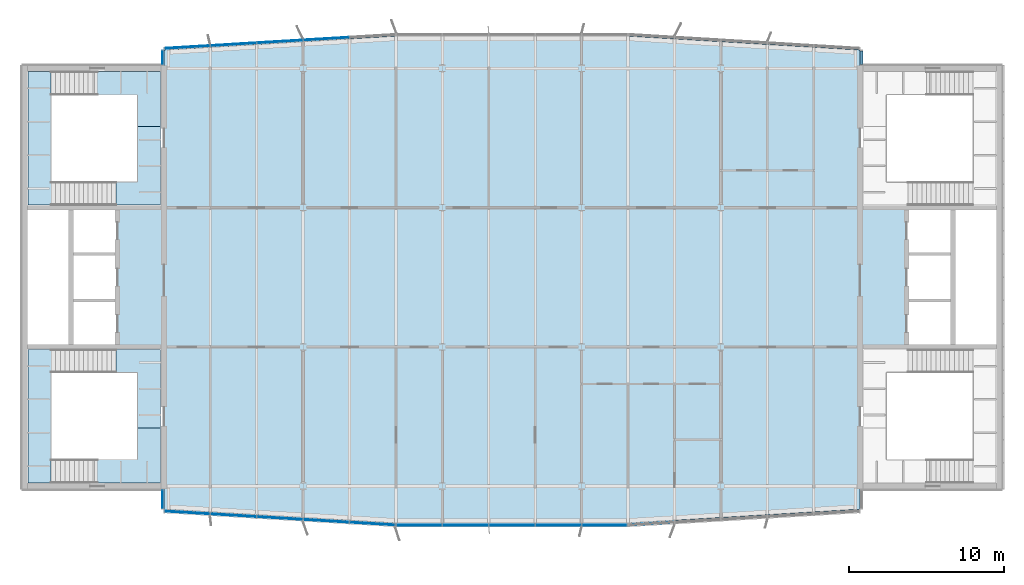
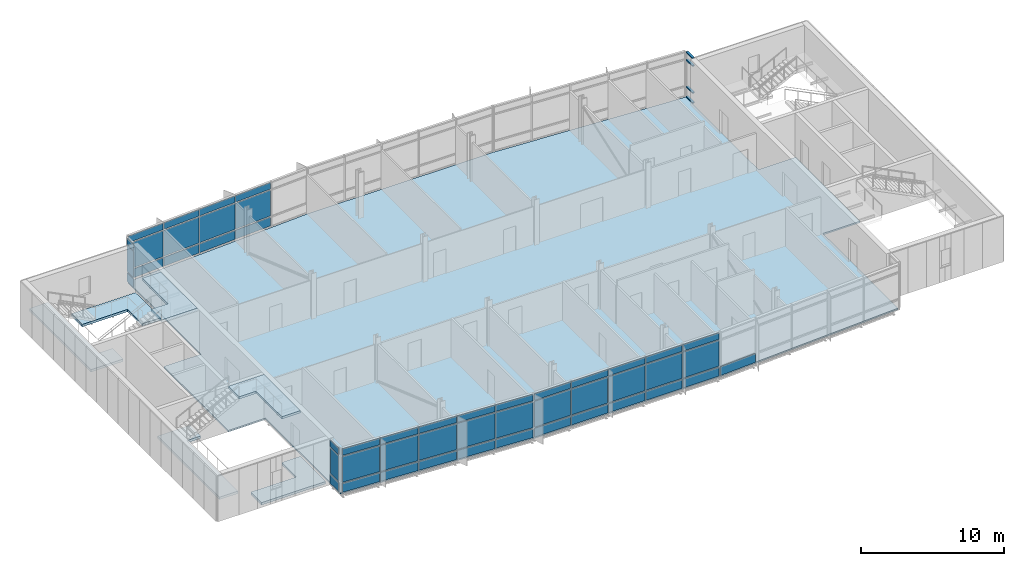
# One storey, part 9 of 17: 49 plates, 7 slabs, 4 members, 9 elements without a shape of their own.
"""IFC4 building model written with IfcOpenShell, lengths in metres."""

import ifcopenshell
import ifcopenshell.guid

model = None  # the IFC model being written
_history = None  # IfcOwnerHistory: only IFC2X3 demands one
_inside = {}  # id of a spatial element -> (the spatial element, [elements in it])
_under = {}  # id of a project, library or spatial element -> (it, [spatial elements below it])
_declared = {}  # id of a project -> (the project, [libraries it declares])
_typed = {}  # id of a type object -> (the type object, [elements of that type])
_made_of = {}  # id of a material, layer set ... -> (it, [elements and type objects made of it])


def new_model(schema):
    """Start an empty IFC model of exactly this schema.

    Asked for "IFC4X3", IfcOpenShell would pick the latest addendum, in which some entities
    have other attributes; the version numbers below select the first issue.
    IFC2X3 requires an IfcOwnerHistory on every rooted entity: one is made here for all.
    """
    global model, _history
    if schema == "IFC4X3":
        model = ifcopenshell.file(schema_version=(4, 3, 0, 0))
    else:
        model = ifcopenshell.file(schema=schema)
    _inside.clear()
    _under.clear()
    _declared.clear()
    _typed.clear()
    _made_of.clear()
    _history = None
    if model.schema == "IFC2X3":
        org = make("IfcOrganization", Name="unknown")
        user = make(
            "IfcPersonAndOrganization",
            ThePerson=make("IfcPerson", FamilyName="unknown"),
            TheOrganization=org,
        )
        app = make(
            "IfcApplication",
            ApplicationDeveloper=org,
            Version="unknown",
            ApplicationFullName="unknown",
            ApplicationIdentifier="unknown",
        )
        _history = make(
            "IfcOwnerHistory",
            OwningUser=user,
            OwningApplication=app,
            ChangeAction="ADDED",
            CreationDate=0,
        )
    return model


def make(cls, **values):
    """One entity of the class cls with the attributes given. An attribute that is None is left unset."""
    return model.create_entity(
        cls, **{name: value for name, value in values.items() if value is not None}
    )


def rooted(cls, **values):
    """An entity with a GlobalId (a new one), such as an element, a storey or a relation."""
    return make(cls, GlobalId=ifcopenshell.guid.new(), OwnerHistory=_history, **values)


def si_unit(unit_type, name, prefix=None):
    """IfcSIUnit, for example si_unit("LENGTHUNIT", "METRE", prefix="MILLI")."""
    return make("IfcSIUnit", UnitType=unit_type, Prefix=prefix, Name=name)


def assignment(units):
    """IfcUnitAssignment: the units of a project."""
    return None if units is None else make("IfcUnitAssignment", Units=units)


def point(xyz):
    """IfcCartesianPoint."""
    return None if xyz is None else make("IfcCartesianPoint", Coordinates=xyz)


def direction(xyz):
    """IfcDirection."""
    return None if xyz is None else make("IfcDirection", DirectionRatios=xyz)


def frame(location, z_axis=None, x_axis=None):
    """IfcAxis2Placement3D, a coordinate frame: its origin and axes. An axis left out is left unset."""
    return make(
        "IfcAxis2Placement3D",
        Location=point(location),
        Axis=direction(z_axis),
        RefDirection=direction(x_axis),
    )


def frame_2d(location, x_axis=None):
    """IfcAxis2Placement2D, a coordinate frame in the plane: its origin and x axis."""
    return make(
        "IfcAxis2Placement2D", Location=point(location), RefDirection=direction(x_axis)
    )


def origin():
    """The frame at (0, 0, 0) with its axes left unset."""
    return frame((0.0, 0.0, 0.0))


def origin_2d():
    """The frame at (0, 0) in the plane with its x axis left unset."""
    return frame_2d((0.0, 0.0))


def place(relative_to, where):
    """IfcLocalPlacement: puts the frame where relative to a parent placement (None: the world)."""
    return make(
        "IfcLocalPlacement", PlacementRelTo=relative_to, RelativePlacement=where
    )


def context(
    kind, dimensions, precision=None, world=None, true_north=None, identifier=None
):
    """IfcGeometricRepresentationContext, for example the 3D "Model" context."""
    return make(
        "IfcGeometricRepresentationContext",
        ContextIdentifier=identifier,
        ContextType=kind,
        CoordinateSpaceDimension=dimensions,
        Precision=precision,
        WorldCoordinateSystem=world,
        TrueNorth=true_north,
    )


def subcontext(parent, identifier, kind, view, scale=None):
    """IfcGeometricRepresentationSubContext, for example "Body" below "Model"."""
    return make(
        "IfcGeometricRepresentationSubContext",
        ContextIdentifier=identifier,
        ContextType=kind,
        ParentContext=parent,
        TargetScale=scale,
        TargetView=view,
    )


def project(units=None, contexts=None):
    """IfcProject with its units and contexts."""
    return rooted(
        "IfcProject",
        Name="project",
        RepresentationContexts=contexts,
        UnitsInContext=assignment(units),
    )


def spatial(cls, under=None, at=None, **own):
    """A site, building, storey or space (cls), placed at a placement, below another one or the project."""
    s = rooted(cls, ObjectPlacement=at, **own)
    if under is not None:
        _under.setdefault(under.id(), (under, []))[1].append(s)
    return s


def polyline(points):
    """IfcPolyline through the points."""
    return make("IfcPolyline", Points=[point(p) for p in points])


def profile(cls, at=None, kind="AREA", **sizes):
    """A parametric profile (cls). Its sizes go by their IFC names, for example OverallWidth=200.0."""
    return make(cls, ProfileType=kind, Position=at, **sizes)


def rectangle(**sizes):
    """IfcRectangleProfileDef."""
    return profile("IfcRectangleProfileDef", **sizes)


def outline(outer, holes=None, kind="AREA"):
    """IfcArbitraryClosedProfileDef: a profile drawn as a closed curve; with holes, ...WithVoids."""
    if holes is None:
        return make("IfcArbitraryClosedProfileDef", ProfileType=kind, OuterCurve=outer)
    return make(
        "IfcArbitraryProfileDefWithVoids",
        ProfileType=kind,
        OuterCurve=outer,
        InnerCurves=holes,
    )


def extrude(swept, where, along, depth):
    """IfcExtrudedAreaSolid: the profile swept, set in the frame where, extruded along a direction by depth."""
    return make(
        "IfcExtrudedAreaSolid",
        SweptArea=swept,
        Position=where,
        ExtrudedDirection=direction(along),
        Depth=depth,
    )


def shape(context_of_items, identifier, shape_type, items):
    """IfcShapeRepresentation: the items that make up one representation, for example the "Body"."""
    return make(
        "IfcShapeRepresentation",
        ContextOfItems=context_of_items,
        RepresentationIdentifier=identifier,
        RepresentationType=shape_type,
        Items=items,
    )


def material(Name=None, Category=None):
    """IfcMaterial."""
    return make("IfcMaterial", Name=Name, Category=Category)


def layer(
    of_material, thickness, ventilated=None, Name=None, Category=None, Priority=None
):
    """IfcMaterialLayer: one layer of a wall or slab, of a material (None: an air gap)."""
    return make(
        "IfcMaterialLayer",
        Material=of_material,
        LayerThickness=thickness,
        IsVentilated=ventilated,
        Name=Name,
        Category=Category,
        Priority=Priority,
    )


def layer_set(layers, Name=None):
    """IfcMaterialLayerSet."""
    return make("IfcMaterialLayerSet", MaterialLayers=layers, LayerSetName=Name)


def material_profile(
    of_material, cross_section, Name=None, Category=None, Priority=None
):
    """IfcMaterialProfile: a cross section and its material."""
    return make(
        "IfcMaterialProfile",
        Name=Name,
        Material=of_material,
        Profile=cross_section,
        Priority=Priority,
        Category=Category,
    )


def profile_set(profiles, Name=None, composite=None):
    """IfcMaterialProfileSet."""
    return make(
        "IfcMaterialProfileSet",
        Name=Name,
        MaterialProfiles=profiles,
        CompositeProfile=composite,
    )


def made_of(thing, what):
    """Note that an element or type object is made of a material, layer set ...; save() writes the relation."""
    if what is not None:
        _made_of.setdefault(what.id(), (what, []))[1].append(thing)
    return thing


def type_object(cls, material=None, **own):
    """A type object (cls), such as IfcWallType, which elements share."""
    return made_of(rooted(cls, **own), material)


def element(
    cls,
    number,
    at=None,
    inside=None,
    cuts=None,
    type_object=None,
    material=None,
    context=None,
    identifier="Body",
    shape_type=None,
    held_by="IfcProductDefinitionShape",
    body=None,
    shapes=None,
    **own,
):
    """One element of the class cls, such as IfcWall. Its Tag is "e" and its number.

    at: its placement. inside: the storey or other place that contains it. cuts: it is an
    opening in that element (IfcRelVoidsElement). A single representation is given by context,
    identifier, shape_type and body (its items); several are given by shapes. held_by: the class
    of the entity that holds the representations. save() writes the other relations.
    """
    e = rooted(cls, Tag="e%d" % number, ObjectPlacement=at, **own)
    if body is not None:
        shapes = [shape(context, identifier, shape_type, body)]
    if shapes is not None:
        e.Representation = make(held_by, Representations=shapes)
    if inside is not None:
        _inside.setdefault(inside.id(), (inside, []))[1].append(e)
    if cuts is not None:
        rooted(
            "IfcRelVoidsElement", RelatingBuildingElement=cuts, RelatedOpeningElement=e
        )
    if type_object is not None:
        _typed.setdefault(type_object.id(), (type_object, []))[1].append(e)
    return made_of(e, material)


def aggregate(whole, parts):
    """IfcRelAggregates: a whole, such as a stair, and the parts it consists of."""
    return rooted("IfcRelAggregates", RelatingObject=whole, RelatedObjects=parts)


def save(model, path):
    """Write the relations noted so far, then the file.

    IfcRelAggregates (storeys below a building ...), IfcRelContainedInSpatialStructure (elements
    in a storey), IfcRelDefinesByType, IfcRelAssociatesMaterial and IfcRelDeclares: one each for
    every whole, place, type object, material and project.
    """
    for whole, parts in _under.values():
        aggregate(whole, parts)
    for where, things in _inside.values():
        rooted(
            "IfcRelContainedInSpatialStructure",
            RelatedElements=things,
            RelatingStructure=where,
        )
    for kind, things in _typed.values():
        rooted("IfcRelDefinesByType", RelatedObjects=things, RelatingType=kind)
    for what, things in _made_of.values():
        rooted("IfcRelAssociatesMaterial", RelatedObjects=things, RelatingMaterial=what)
    for by, libraries in _declared.values():
        rooted("IfcRelDeclares", RelatingContext=by, RelatedDefinitions=libraries)
    model.write(path)


model = new_model("IFC4")

# Units and contexts
model_context = context("Model", 3, precision=1e-05, world=origin(), true_north=direction((0.0, 1.0)))
body_context = subcontext(model_context, "Body", "Model", "MODEL_VIEW")
ifc_project = project(units=[si_unit("LENGTHUNIT", "METRE"), si_unit("AREAUNIT", "SQUARE_METRE"), si_unit("VOLUMEUNIT", "CUBIC_METRE"), si_unit("PLANEANGLEUNIT", "RADIAN"), si_unit("MASSUNIT", "GRAM", prefix="KILO")], contexts=[model_context])

# Site, building, storey
site_placement = place(None, origin())
site = spatial("IfcSite", under=ifc_project, at=site_placement, CompositionType="ELEMENT")
building_placement = place(site_placement, origin())
building = spatial("IfcBuilding", under=site, at=building_placement, Name="Azimuth Sports and Learning Centre", CompositionType="ELEMENT")
storey_placement = place(building_placement, frame((0.0, 0.0, 36.300048828125)))
storey = spatial("IfcBuildingStorey", under=building, at=storey_placement, Name="L07", CompositionType="ELEMENT", Elevation=36.300048828125)

# Curtain wall, members
ifc_material_1 = material(Name="Aluminium and glass", Category="aluminium")
curtain_wall_type_1 = type_object("IfcCurtainWallType", Name="Curtain wall tower return 180", PredefinedType="NOTDEFINED", material=ifc_material_1)
curtain_wall_1_placement = place(storey_placement, origin())
curtain_wall_1 = element("IfcCurtainWall", 1, at=curtain_wall_1_placement, inside=storey, type_object=curtain_wall_type_1, Name="Curtain wall CW07-006", PredefinedType="NOTDEFINED")
ifc_material_2 = material(Name="Aluminium", Category="aluminium")
ifc_material_profile = material_profile(ifc_material_2, rectangle(XDim=0.179931640625, YDim=0.10009765625, at=origin_2d()), Name="Transom 100x180")
ifc_profile_set = profile_set([ifc_material_profile], Name="Aluminium")
member_type = type_object("IfcMemberType", Name="Transom 100x180", PredefinedType="USERDEFINED", material=ifc_profile_set)
member_1_placement = place(storey_placement, frame((108.090087890625, 117.260009765625, 0.050048828125), z_axis=(0.0, 1.0, 0.0), x_axis=(-1.0, 0.0, 0.0)))
member_1 = element("IfcMember", 2, at=member_1_placement, type_object=member_type, Name="CW07-006 transom 1.1", ObjectType="TRANSOM", PredefinedType="USERDEFINED", context=body_context, shape_type="SweptSolid", body=[
    extrude(rectangle(XDim=0.179931640625, YDim=0.10009765625, at=origin_2d()), origin(), (0.0, 0.0, 1.0), 0.8798828125),
])
member_2_placement = place(storey_placement, frame((108.090087890625, 117.260009765625, 0.89990234375), z_axis=(0.0, 1.0, 0.0), x_axis=(-1.0, 0.0, 0.0)))
member_2 = element("IfcMember", 3, at=member_2_placement, type_object=member_type, Name="CW07-006 transom 1.2", ObjectType="TRANSOM", PredefinedType="USERDEFINED", context=body_context, shape_type="SweptSolid", body=[
    extrude(rectangle(XDim=0.179931640625, YDim=0.10009765625, at=origin_2d()), origin(), (0.0, 0.0, 1.0), 0.8798828125),
])
member_3_placement = place(storey_placement, frame((108.090087890625, 117.260009765625, 3.199951171875), z_axis=(0.0, 1.0, 0.0), x_axis=(-1.0, 0.0, 0.0)))
member_3 = element("IfcMember", 4, at=member_3_placement, type_object=member_type, Name="CW07-006 transom 1.3", ObjectType="TRANSOM", PredefinedType="USERDEFINED", context=body_context, shape_type="SweptSolid", body=[
    extrude(rectangle(XDim=0.179931640625, YDim=0.10009765625, at=origin_2d()), origin(), (0.0, 0.0, 1.0), 0.8798828125),
])
member_4_placement = place(storey_placement, frame((108.090087890625, 117.260009765625, 3.849853515625), z_axis=(0.0, 1.0, 0.0), x_axis=(-1.0, 0.0, 0.0)))
member_4 = element("IfcMember", 5, at=member_4_placement, type_object=member_type, Name="CW07-006 transom 1.4", ObjectType="TRANSOM", PredefinedType="USERDEFINED", context=body_context, shape_type="SweptSolid", body=[
    extrude(rectangle(XDim=0.179931640625, YDim=0.10009765625, at=origin_2d()), origin(), (0.0, 0.0, 1.0), 0.8798828125),
])
aggregate(curtain_wall_1, [member_1, member_2, member_3, member_4])

# Slab
ifc_material_3 = material(Name="Concrete C30/37", Category="concrete")
ifc_layer_1 = layer(ifc_material_3, 0.1298828125)
ifc_layer_set_1 = layer_set([ifc_layer_1], Name="Concrete C30/37")
slab_type_1 = type_object("IfcSlabType", Name="Composite floor slab 130", PredefinedType="FLOOR", material=ifc_layer_set_1)
slab_1_placement = place(storey_placement, frame((0.0, 0.0, -0.130126953125)))
element("IfcSlab", 6, at=slab_1_placement, inside=storey, type_object=slab_type_1, Name="Slab TOWER L07", PredefinedType="FLOOR", context=body_context, shape_type="SweptSolid", body=[
    extrude(outline(polyline([(78.0, 87.60009765625), (93.0, 87.60009765625), (108.0, 88.5), (108.0, 99.0), (111.0, 99.0), (111.0, 108.0), (108.0, 108.0), (108.0, 118.199951171875), (93.0, 119.10009765625), (78.0, 119.10009765625), (63.0, 118.199951171875), (63.0, 108.0), (60.0, 108.0), (60.0, 99.0), (63.0, 99.0), (63.0, 88.5), (78.0, 87.60009765625)])), origin(), (0.0, 0.0, 1.0), 0.130126953125),
])

# Stair, slabs
ifc_material_4 = material(Name="Concrete C32/40", Category="concrete")
stair_type = type_object("IfcStairType", Name="Square-well stair core 3900 storey", PredefinedType="THREE_QUARTER_TURN_STAIR", material=ifc_material_4)
stair_1_placement = place(storey_placement, origin())
stair_1 = element("IfcStair", 7, at=stair_1_placement, inside=storey, type_object=stair_type, Name="Stair W1 L07-L08", PredefinedType="THREE_QUARTER_TURN_STAIR")
ifc_material_5 = material(Name="Concrete C32/40", Category="concrete")
ifc_layer_2 = layer(ifc_material_5, 0.199951171875)
ifc_layer_set_2 = layer_set([ifc_layer_2], Name="Concrete C32/40")
slab_type_2 = type_object("IfcSlabType", Name="Concrete stair landing", PredefinedType="LANDING", material=ifc_layer_set_2)
slab_2_placement = place(storey_placement, frame((0.0, 0.0, -0.199951171875)))
slab_2 = element("IfcSlab", 8, at=slab_2_placement, type_object=slab_type_2, Name="Stair W1 L07 landing 1", PredefinedType="LANDING", context=body_context, shape_type="SweptSolid", body=[
    extrude(outline(polyline([(62.7900390625, 90.2099609375), (62.7900390625, 93.75), (61.2900390625, 93.75), (61.2900390625, 91.7099609375), (57.610107421875, 91.7099609375), (57.610107421875, 90.2099609375), (62.7900390625, 90.2099609375)])), origin(), (0.0, 0.0, 1.0), 0.199951171875),
])
slab_3_placement = place(storey_placement, frame((0.0, 0.0, 1.449951171875)))
slab_3 = element("IfcSlab", 9, at=slab_3_placement, type_object=slab_type_2, Name="Stair W1 L07 landing 2", PredefinedType="LANDING", context=body_context, shape_type="SweptSolid", body=[
    extrude(outline(polyline([(55.7099609375, 91.7099609375), (55.7099609375, 97.340087890625), (56.81005859375, 97.340087890625), (56.81005859375, 98.840087890625), (54.2099609375, 98.840087890625), (54.2099609375, 90.2099609375), (55.710693359375, 90.2099609375), (55.710693359375, 91.7099609375), (55.7099609375, 91.7099609375)])), origin(), (0.0, 0.0, 1.0), 0.199951171875),
])
slab_4_placement = place(storey_placement, frame((0.0, 0.0, 3.699951171875)))
slab_4 = element("IfcSlab", 10, at=slab_4_placement, type_object=slab_type_2, Name="Stair W1 L07 landing 3", PredefinedType="LANDING", context=body_context, shape_type="SweptSolid", body=[
    extrude(outline(polyline([(61.2900390625, 97.340087890625), (61.2900390625, 93.75), (62.7900390625, 93.75), (62.7900390625, 98.840087890625), (59.9091796875, 98.840087890625), (59.9091796875, 97.340087890625), (61.2900390625, 97.340087890625)])), origin(), (0.0, 0.0, 1.0), 0.199951171875),
])
aggregate(stair_1, [slab_2, slab_3, slab_4])

stair_2_placement = place(storey_placement, origin())
stair_2 = element("IfcStair", 11, at=stair_2_placement, inside=storey, type_object=stair_type, Name="Stair W2 L07-L08", PredefinedType="THREE_QUARTER_TURN_STAIR")
slab_5_placement = place(storey_placement, frame((0.0, 0.0, -0.199951171875)))
slab_5 = element("IfcSlab", 12, at=slab_5_placement, type_object=slab_type_2, Name="Stair W2 L07 landing 1", PredefinedType="LANDING", context=body_context, shape_type="SweptSolid", body=[
    extrude(outline(polyline([(57.610107421875, 115.2900390625), (61.2900390625, 115.2900390625), (61.2900390625, 113.25), (62.7900390625, 113.25), (62.7900390625, 116.7900390625), (57.610107421875, 116.7900390625), (57.610107421875, 115.2900390625)])), origin(), (0.0, 0.0, 1.0), 0.199951171875),
])
slab_6_placement = place(storey_placement, frame((0.0, 0.0, 1.449951171875)))
slab_6 = element("IfcSlab", 13, at=slab_6_placement, type_object=slab_type_2, Name="Stair W2 L07 landing 2", PredefinedType="LANDING", context=body_context, shape_type="SweptSolid", body=[
    extrude(outline(polyline([(55.7099609375, 115.2900390625), (55.710693359375, 115.2900390625), (55.710693359375, 116.7900390625), (54.2099609375, 116.7900390625), (54.2099609375, 108.159912109375), (56.81005859375, 108.159912109375), (56.81005859375, 109.659912109375), (55.7099609375, 109.659912109375), (55.7099609375, 115.2900390625)])), origin(), (0.0, 0.0, 1.0), 0.199951171875),
])
slab_7_placement = place(storey_placement, frame((0.0, 0.0, 3.699951171875)))
slab_7 = element("IfcSlab", 14, at=slab_7_placement, type_object=slab_type_2, Name="Stair W2 L07 landing 3", PredefinedType="LANDING", context=body_context, shape_type="SweptSolid", body=[
    extrude(outline(polyline([(61.2900390625, 109.659912109375), (59.9091796875, 109.659912109375), (59.9091796875, 108.159912109375), (62.7900390625, 108.159912109375), (62.7900390625, 113.25), (61.2900390625, 113.25), (61.2900390625, 109.659912109375)])), origin(), (0.0, 0.0, 1.0), 0.199951171875),
])
aggregate(stair_2, [slab_5, slab_6, slab_7])

# Curtain wall, plates
curtain_wall_2_placement = place(storey_placement, origin())
curtain_wall_2 = element("IfcCurtainWall", 15, at=curtain_wall_2_placement, inside=storey, type_object=curtain_wall_type_1, Name="Curtain wall CW07-001", PredefinedType="NOTDEFINED")
ifc_material_6 = material(Name="Insulated aluminium panel", Category="aluminium")
ifc_layer_3 = layer(ifc_material_6, 0.050048828125)
ifc_layer_set_3 = layer_set([ifc_layer_3], Name="Insulated aluminium panel")
plate_type_1 = type_object("IfcPlateType", Name="Spandrel panel 50 mm", PredefinedType="CURTAIN_PANEL", material=ifc_layer_set_3)
plate_1_placement = place(storey_placement, frame((62.909912109375, 89.14990234375, 0.099853515625), z_axis=(0.0, 0.0, 1.0), x_axis=(0.0, -1.0, 0.0)))
plate_1 = element("IfcPlate", 16, at=plate_1_placement, type_object=plate_type_1, Name="CW07-001 panel 1.1", PredefinedType="CURTAIN_PANEL", context=body_context, shape_type="SweptSolid", body=[
    extrude(rectangle(XDim=1.179931640625, YDim=0.050048828125, at=origin_2d()), origin(), (0.0, 0.0, 1.0), 0.75),
])
plate_2_placement = place(storey_placement, frame((62.909912109375, 89.14990234375, 3.25), z_axis=(0.0, 0.0, 1.0), x_axis=(0.0, -1.0, 0.0)))
plate_2 = element("IfcPlate", 17, at=plate_2_placement, type_object=plate_type_1, Name="CW07-001 panel 1.3", PredefinedType="CURTAIN_PANEL", context=body_context, shape_type="SweptSolid", body=[
    extrude(rectangle(XDim=1.179931640625, YDim=0.050048828125, at=origin_2d()), origin(), (0.0, 0.0, 1.0), 0.550048828125),
])

ifc_material_7 = material(Name="Aluminium and glass", Category="aluminium")
curtain_wall_type_2 = type_object("IfcCurtainWallType", Name="Curtain wall tower south 240", PredefinedType="NOTDEFINED", material=ifc_material_7)
curtain_wall_3_placement = place(storey_placement, origin())
curtain_wall_3 = element("IfcCurtainWall", 18, at=curtain_wall_3_placement, inside=storey, type_object=curtain_wall_type_2, Name="Curtain wall CW07-002", PredefinedType="NOTDEFINED")
plate_3_placement = place(storey_placement, frame((64.51025390625, 88.2890625, 0.099853515625), z_axis=(0.0, 0.0, 1.0), x_axis=(0.998204863401, -0.059891991812, 0.0)))
plate_3 = element("IfcPlate", 19, at=plate_3_placement, type_object=plate_type_1, Name="CW07-002 panel 1.1", PredefinedType="CURTAIN_PANEL", context=body_context, shape_type="SweptSolid", body=[
    extrude(rectangle(XDim=2.900390625, YDim=0.050048828125, at=origin_2d()), origin(), (0.0, 0.0, 1.0), 0.75),
])
plate_4_placement = place(storey_placement, frame((64.51025390625, 88.2890625, 3.25), z_axis=(0.0, 0.0, 1.0), x_axis=(0.998204863401, -0.059891991812, 0.0)))
plate_4 = element("IfcPlate", 20, at=plate_4_placement, type_object=plate_type_1, Name="CW07-002 panel 1.3", PredefinedType="CURTAIN_PANEL", context=body_context, shape_type="SweptSolid", body=[
    extrude(rectangle(XDim=2.900390625, YDim=0.050048828125, at=origin_2d()), origin(), (0.0, 0.0, 1.0), 0.550048828125),
])
plate_5_placement = place(storey_placement, frame((67.492919921875, 88.110107421875, 0.099853515625), z_axis=(0.0, 0.0, 1.0), x_axis=(0.998204863401, -0.059891991812, 0.0)))
plate_5 = element("IfcPlate", 21, at=plate_5_placement, type_object=plate_type_1, Name="CW07-002 panel 2.1", PredefinedType="CURTAIN_PANEL", context=body_context, shape_type="SweptSolid", body=[
    extrude(rectangle(XDim=2.935302734375, YDim=0.050048828125, at=origin_2d()), origin(), (0.0, 0.0, 1.0), 0.75),
])
plate_6_placement = place(storey_placement, frame((67.492919921875, 88.110107421875, 3.25), z_axis=(0.0, 0.0, 1.0), x_axis=(0.998204863401, -0.059891991812, 0.0)))
plate_6 = element("IfcPlate", 22, at=plate_6_placement, type_object=plate_type_1, Name="CW07-002 panel 2.3", PredefinedType="CURTAIN_PANEL", context=body_context, shape_type="SweptSolid", body=[
    extrude(rectangle(XDim=2.935302734375, YDim=0.050048828125, at=origin_2d()), origin(), (0.0, 0.0, 1.0), 0.550048828125),
])
plate_7_placement = place(storey_placement, frame((70.492919921875, 87.93017578125, 0.099853515625), z_axis=(0.0, 0.0, 1.0), x_axis=(0.998204863401, -0.059891991812, 0.0)))
plate_7 = element("IfcPlate", 23, at=plate_7_placement, type_object=plate_type_1, Name="CW07-002 panel 3.1", PredefinedType="CURTAIN_PANEL", context=body_context, shape_type="SweptSolid", body=[
    extrude(rectangle(XDim=2.935302734375, YDim=0.050048828125, at=origin_2d()), origin(), (0.0, 0.0, 1.0), 0.75),
])
plate_8_placement = place(storey_placement, frame((70.492919921875, 87.93017578125, 3.25), z_axis=(0.0, 0.0, 1.0), x_axis=(0.998204863401, -0.059891991812, 0.0)))
plate_8 = element("IfcPlate", 24, at=plate_8_placement, type_object=plate_type_1, Name="CW07-002 panel 3.3", PredefinedType="CURTAIN_PANEL", context=body_context, shape_type="SweptSolid", body=[
    extrude(rectangle(XDim=2.935302734375, YDim=0.050048828125, at=origin_2d()), origin(), (0.0, 0.0, 1.0), 0.550048828125),
])
plate_9_placement = place(storey_placement, frame((73.492919921875, 87.750244140625, 0.099853515625), z_axis=(0.0, 0.0, 1.0), x_axis=(0.998204863401, -0.059891991812, 0.0)))
plate_9 = element("IfcPlate", 25, at=plate_9_placement, type_object=plate_type_1, Name="CW07-002 panel 4.1", PredefinedType="CURTAIN_PANEL", context=body_context, shape_type="SweptSolid", body=[
    extrude(rectangle(XDim=2.935302734375, YDim=0.050048828125, at=origin_2d()), origin(), (0.0, 0.0, 1.0), 0.75),
])
plate_10_placement = place(storey_placement, frame((73.492919921875, 87.750244140625, 3.25), z_axis=(0.0, 0.0, 1.0), x_axis=(0.998204863401, -0.059891991812, 0.0)))
plate_10 = element("IfcPlate", 26, at=plate_10_placement, type_object=plate_type_1, Name="CW07-002 panel 4.3", PredefinedType="CURTAIN_PANEL", context=body_context, shape_type="SweptSolid", body=[
    extrude(rectangle(XDim=2.935302734375, YDim=0.050048828125, at=origin_2d()), origin(), (0.0, 0.0, 1.0), 0.550048828125),
])
plate_11_placement = place(storey_placement, frame((76.475341796875, 87.5712890625, 0.099853515625), z_axis=(0.0, 0.0, 1.0), x_axis=(0.998204863401, -0.059891991812, 0.0)))
plate_11 = element("IfcPlate", 27, at=plate_11_placement, type_object=plate_type_1, Name="CW07-002 panel 5.1", PredefinedType="CURTAIN_PANEL", context=body_context, shape_type="SweptSolid", body=[
    extrude(rectangle(XDim=2.900390625, YDim=0.050048828125, at=origin_2d()), origin(), (0.0, 0.0, 1.0), 0.75),
])
plate_12_placement = place(storey_placement, frame((76.475341796875, 87.5712890625, 3.25), z_axis=(0.0, 0.0, 1.0), x_axis=(0.998204863401, -0.059891991812, 0.0)))
plate_12 = element("IfcPlate", 28, at=plate_12_placement, type_object=plate_type_1, Name="CW07-002 panel 5.3", PredefinedType="CURTAIN_PANEL", context=body_context, shape_type="SweptSolid", body=[
    extrude(rectangle(XDim=2.900390625, YDim=0.050048828125, at=origin_2d()), origin(), (0.0, 0.0, 1.0), 0.550048828125),
])

curtain_wall_4_placement = place(storey_placement, origin())
curtain_wall_4 = element("IfcCurtainWall", 29, at=curtain_wall_4_placement, inside=storey, type_object=curtain_wall_type_2, Name="Curtain wall CW07-003", PredefinedType="NOTDEFINED")
plate_13_placement = place(storey_placement, frame((79.513916015625, 87.47998046875, 0.099853515625), z_axis=(0.0, 0.0, 1.0), x_axis=(1.0, 0.0, 0.0)))
plate_13 = element("IfcPlate", 30, at=plate_13_placement, type_object=plate_type_1, Name="CW07-003 panel 1.1", PredefinedType="CURTAIN_PANEL", context=body_context, shape_type="SweptSolid", body=[
    extrude(rectangle(XDim=2.902099609375, YDim=0.050048828125, at=origin_2d()), origin(), (0.0, 0.0, 1.0), 0.75),
])
plate_14_placement = place(storey_placement, frame((79.513916015625, 87.47998046875, 3.25), z_axis=(0.0, 0.0, 1.0), x_axis=(1.0, 0.0, 0.0)))
plate_14 = element("IfcPlate", 31, at=plate_14_placement, type_object=plate_type_1, Name="CW07-003 panel 1.3", PredefinedType="CURTAIN_PANEL", context=body_context, shape_type="SweptSolid", body=[
    extrude(rectangle(XDim=2.902099609375, YDim=0.050048828125, at=origin_2d()), origin(), (0.0, 0.0, 1.0), 0.550048828125),
])
plate_15_placement = place(storey_placement, frame((82.5, 87.47998046875, 0.099853515625), z_axis=(0.0, 0.0, 1.0), x_axis=(1.0, 0.0, 0.0)))
plate_15 = element("IfcPlate", 32, at=plate_15_placement, type_object=plate_type_1, Name="CW07-003 panel 2.1", PredefinedType="CURTAIN_PANEL", context=body_context, shape_type="SweptSolid", body=[
    extrude(rectangle(XDim=2.929931640625, YDim=0.050048828125, at=origin_2d()), origin(), (0.0, 0.0, 1.0), 0.75),
])
plate_16_placement = place(storey_placement, frame((82.5, 87.47998046875, 3.25), z_axis=(0.0, 0.0, 1.0), x_axis=(1.0, 0.0, 0.0)))
plate_16 = element("IfcPlate", 33, at=plate_16_placement, type_object=plate_type_1, Name="CW07-003 panel 2.3", PredefinedType="CURTAIN_PANEL", context=body_context, shape_type="SweptSolid", body=[
    extrude(rectangle(XDim=2.929931640625, YDim=0.050048828125, at=origin_2d()), origin(), (0.0, 0.0, 1.0), 0.550048828125),
])
plate_17_placement = place(storey_placement, frame((85.5, 87.47998046875, 0.099853515625), z_axis=(0.0, 0.0, 1.0), x_axis=(1.0, 0.0, 0.0)))
plate_17 = element("IfcPlate", 34, at=plate_17_placement, type_object=plate_type_1, Name="CW07-003 panel 3.1", PredefinedType="CURTAIN_PANEL", context=body_context, shape_type="SweptSolid", body=[
    extrude(rectangle(XDim=2.929931640625, YDim=0.050048828125, at=origin_2d()), origin(), (0.0, 0.0, 1.0), 0.75),
])
plate_18_placement = place(storey_placement, frame((85.5, 87.47998046875, 3.25), z_axis=(0.0, 0.0, 1.0), x_axis=(1.0, 0.0, 0.0)))
plate_18 = element("IfcPlate", 35, at=plate_18_placement, type_object=plate_type_1, Name="CW07-003 panel 3.3", PredefinedType="CURTAIN_PANEL", context=body_context, shape_type="SweptSolid", body=[
    extrude(rectangle(XDim=2.929931640625, YDim=0.050048828125, at=origin_2d()), origin(), (0.0, 0.0, 1.0), 0.550048828125),
])
plate_19_placement = place(storey_placement, frame((88.5, 87.47998046875, 0.099853515625), z_axis=(0.0, 0.0, 1.0), x_axis=(1.0, 0.0, 0.0)))
plate_19 = element("IfcPlate", 36, at=plate_19_placement, type_object=plate_type_1, Name="CW07-003 panel 4.1", PredefinedType="CURTAIN_PANEL", context=body_context, shape_type="SweptSolid", body=[
    extrude(rectangle(XDim=2.929931640625, YDim=0.050048828125, at=origin_2d()), origin(), (0.0, 0.0, 1.0), 0.75),
])
plate_20_placement = place(storey_placement, frame((88.5, 87.47998046875, 3.25), z_axis=(0.0, 0.0, 1.0), x_axis=(1.0, 0.0, 0.0)))
plate_20 = element("IfcPlate", 37, at=plate_20_placement, type_object=plate_type_1, Name="CW07-003 panel 4.3", PredefinedType="CURTAIN_PANEL", context=body_context, shape_type="SweptSolid", body=[
    extrude(rectangle(XDim=2.929931640625, YDim=0.050048828125, at=origin_2d()), origin(), (0.0, 0.0, 1.0), 0.550048828125),
])
plate_21_placement = place(storey_placement, frame((91.482421875, 87.47998046875, 0.099853515625), z_axis=(0.0, 0.0, 1.0), x_axis=(1.0, 0.0, 0.0)))
plate_21 = element("IfcPlate", 38, at=plate_21_placement, type_object=plate_type_1, Name="CW07-003 panel 5.1", PredefinedType="CURTAIN_PANEL", context=body_context, shape_type="SweptSolid", body=[
    extrude(rectangle(XDim=2.89501953125, YDim=0.050048828125, at=origin_2d()), origin(), (0.0, 0.0, 1.0), 0.75),
])
plate_22_placement = place(storey_placement, frame((91.482421875, 87.47998046875, 3.25), z_axis=(0.0, 0.0, 1.0), x_axis=(1.0, 0.0, 0.0)))
plate_22 = element("IfcPlate", 39, at=plate_22_placement, type_object=plate_type_1, Name="CW07-003 panel 5.3", PredefinedType="CURTAIN_PANEL", context=body_context, shape_type="SweptSolid", body=[
    extrude(rectangle(XDim=2.89501953125, YDim=0.050048828125, at=origin_2d()), origin(), (0.0, 0.0, 1.0), 0.550048828125),
])

# Curtain wall, plate
curtain_wall_5_placement = place(storey_placement, origin())
curtain_wall_5 = element("IfcCurtainWall", 40, at=curtain_wall_5_placement, inside=storey, type_object=curtain_wall_type_2, Name="Curtain wall CW07-004", PredefinedType="NOTDEFINED")
plate_23_placement = place(storey_placement, frame((94.52099609375, 87.571044921875, 0.099853515625), z_axis=(0.0, 0.0, 1.0), x_axis=(0.998204863401, 0.059891991812, 0.0)))
plate_23 = element("IfcPlate", 41, at=plate_23_placement, type_object=plate_type_1, Name="CW07-004 panel 1.1", PredefinedType="CURTAIN_PANEL", context=body_context, shape_type="SweptSolid", body=[
    extrude(rectangle(XDim=2.90771484375, YDim=0.050048828125, at=origin_2d()), origin(), (0.0, 0.0, 1.0), 0.75),
])
aggregate(curtain_wall_5, [plate_23])

# Curtain wall, plates
ifc_material_8 = material(Name="Aluminium and glass", Category="aluminium")
curtain_wall_type_3 = type_object("IfcCurtainWallType", Name="Curtain wall tower north 180", PredefinedType="NOTDEFINED", material=ifc_material_8)
curtain_wall_6_placement = place(storey_placement, origin())
curtain_wall_6 = element("IfcCurtainWall", 42, at=curtain_wall_6_placement, inside=storey, type_object=curtain_wall_type_3, Name="Curtain wall CW07-009", PredefinedType="NOTDEFINED")
plate_24_placement = place(storey_placement, frame((73.49462890625, 118.919921875, 0.099853515625), z_axis=(0.0, 0.0, 1.0), x_axis=(-0.998204863401, -0.059891991812, 0.0)))
plate_24 = element("IfcPlate", 43, at=plate_24_placement, type_object=plate_type_1, Name="CW07-009 panel 2.1", PredefinedType="CURTAIN_PANEL", context=body_context, shape_type="SweptSolid", body=[
    extrude(rectangle(XDim=2.9453125, YDim=0.050048828125, at=origin_2d()), origin(), (0.0, 0.0, 1.0), 0.75),
])
plate_25_placement = place(storey_placement, frame((73.49462890625, 118.919921875, 3.25), z_axis=(0.0, 0.0, 1.0), x_axis=(-0.998204863401, -0.059891991812, 0.0)))
plate_25 = element("IfcPlate", 44, at=plate_25_placement, type_object=plate_type_1, Name="CW07-009 panel 2.3", PredefinedType="CURTAIN_PANEL", context=body_context, shape_type="SweptSolid", body=[
    extrude(rectangle(XDim=2.9453125, YDim=0.050048828125, at=origin_2d()), origin(), (0.0, 0.0, 1.0), 0.550048828125),
])
plate_26_placement = place(storey_placement, frame((70.49462890625, 118.73974609375, 0.099853515625), z_axis=(0.0, 0.0, 1.0), x_axis=(-0.998204863401, -0.059891991812, 0.0)))
plate_26 = element("IfcPlate", 45, at=plate_26_placement, type_object=plate_type_1, Name="CW07-009 panel 3.1", PredefinedType="CURTAIN_PANEL", context=body_context, shape_type="SweptSolid", body=[
    extrude(rectangle(XDim=2.9453125, YDim=0.050048828125, at=origin_2d()), origin(), (0.0, 0.0, 1.0), 0.75),
])
plate_27_placement = place(storey_placement, frame((70.49462890625, 118.73974609375, 3.25), z_axis=(0.0, 0.0, 1.0), x_axis=(-0.998204863401, -0.059891991812, 0.0)))
plate_27 = element("IfcPlate", 46, at=plate_27_placement, type_object=plate_type_1, Name="CW07-009 panel 3.3", PredefinedType="CURTAIN_PANEL", context=body_context, shape_type="SweptSolid", body=[
    extrude(rectangle(XDim=2.9453125, YDim=0.050048828125, at=origin_2d()), origin(), (0.0, 0.0, 1.0), 0.550048828125),
])
plate_28_placement = place(storey_placement, frame((67.49462890625, 118.559814453125, 0.099853515625), z_axis=(0.0, 0.0, 1.0), x_axis=(-0.998204863401, -0.059891991812, 0.0)))
plate_28 = element("IfcPlate", 47, at=plate_28_placement, type_object=plate_type_1, Name="CW07-009 panel 4.1", PredefinedType="CURTAIN_PANEL", context=body_context, shape_type="SweptSolid", body=[
    extrude(rectangle(XDim=2.9453125, YDim=0.050048828125, at=origin_2d()), origin(), (0.0, 0.0, 1.0), 0.75),
])
plate_29_placement = place(storey_placement, frame((67.49462890625, 118.559814453125, 3.25), z_axis=(0.0, 0.0, 1.0), x_axis=(-0.998204863401, -0.059891991812, 0.0)))
plate_29 = element("IfcPlate", 48, at=plate_29_placement, type_object=plate_type_1, Name="CW07-009 panel 4.3", PredefinedType="CURTAIN_PANEL", context=body_context, shape_type="SweptSolid", body=[
    extrude(rectangle(XDim=2.9453125, YDim=0.050048828125, at=origin_2d()), origin(), (0.0, 0.0, 1.0), 0.550048828125),
])
plate_30_placement = place(storey_placement, frame((64.509521484375, 118.380859375, 0.099853515625), z_axis=(0.0, 0.0, 1.0), x_axis=(-0.998204863401, -0.059891991812, 0.0)))
plate_30 = element("IfcPlate", 49, at=plate_30_placement, type_object=plate_type_1, Name="CW07-009 panel 5.1", PredefinedType="CURTAIN_PANEL", context=body_context, shape_type="SweptSolid", body=[
    extrude(rectangle(XDim=2.915283203125, YDim=0.050048828125, at=origin_2d()), origin(), (0.0, 0.0, 1.0), 0.75),
])
plate_31_placement = place(storey_placement, frame((64.509521484375, 118.380859375, 3.25), z_axis=(0.0, 0.0, 1.0), x_axis=(-0.998204863401, -0.059891991812, 0.0)))
plate_31 = element("IfcPlate", 50, at=plate_31_placement, type_object=plate_type_1, Name="CW07-009 panel 5.3", PredefinedType="CURTAIN_PANEL", context=body_context, shape_type="SweptSolid", body=[
    extrude(rectangle(XDim=2.915283203125, YDim=0.050048828125, at=origin_2d()), origin(), (0.0, 0.0, 1.0), 0.550048828125),
])

curtain_wall_7_placement = place(storey_placement, origin())
curtain_wall_7 = element("IfcCurtainWall", 51, at=curtain_wall_7_placement, inside=storey, type_object=curtain_wall_type_1, Name="Curtain wall CW07-010", PredefinedType="NOTDEFINED")
plate_32_placement = place(storey_placement, frame((62.909912109375, 117.699951171875, 0.099853515625), z_axis=(0.0, 0.0, 1.0), x_axis=(0.0, -1.0, 0.0)))
plate_32 = element("IfcPlate", 52, at=plate_32_placement, type_object=plate_type_1, Name="CW07-010 panel 1.1", PredefinedType="CURTAIN_PANEL", context=body_context, shape_type="SweptSolid", body=[
    extrude(rectangle(XDim=0.8798828125, YDim=0.050048828125, at=origin_2d()), origin(), (0.0, 0.0, 1.0), 0.75),
])
plate_33_placement = place(storey_placement, frame((62.909912109375, 117.699951171875, 3.25), z_axis=(0.0, 0.0, 1.0), x_axis=(0.0, -1.0, 0.0)))
plate_33 = element("IfcPlate", 53, at=plate_33_placement, type_object=plate_type_1, Name="CW07-010 panel 1.3", PredefinedType="CURTAIN_PANEL", context=body_context, shape_type="SweptSolid", body=[
    extrude(rectangle(XDim=0.8798828125, YDim=0.050048828125, at=origin_2d()), origin(), (0.0, 0.0, 1.0), 0.550048828125),
])

# Plate
ifc_material_9 = material(Name="Glass", Category="glass")
ifc_layer_4 = layer(ifc_material_9, 0.031982421875)
ifc_layer_set_4 = layer_set([ifc_layer_4], Name="Glass")
plate_type_2 = type_object("IfcPlateType", Name="Vision glass 32 mm", PredefinedType="CURTAIN_PANEL", material=ifc_layer_set_4)
plate_34_placement = place(storey_placement, frame((62.909912109375, 89.14990234375, 0.9501953125), z_axis=(0.0, 0.0, 1.0), x_axis=(0.0, -1.0, 0.0)))
plate_34 = element("IfcPlate", 54, at=plate_34_placement, type_object=plate_type_2, Name="CW07-001 panel 1.2", PredefinedType="CURTAIN_PANEL", context=body_context, shape_type="SweptSolid", body=[
    extrude(rectangle(XDim=1.179931640625, YDim=0.031982421875, at=origin_2d()), origin(), (0.0, 0.0, 1.0), 2.199951171875),
])

aggregate(curtain_wall_2, [plate_1, plate_34, plate_2])

plate_35_placement = place(storey_placement, frame((64.51025390625, 88.2890625, 0.9501953125), z_axis=(0.0, 0.0, 1.0), x_axis=(0.998204863401, -0.059891991812, 0.0)))
plate_35 = element("IfcPlate", 55, at=plate_35_placement, type_object=plate_type_2, Name="CW07-002 panel 1.2", PredefinedType="CURTAIN_PANEL", context=body_context, shape_type="SweptSolid", body=[
    extrude(rectangle(XDim=2.900390625, YDim=0.031982421875, at=origin_2d()), origin(), (0.0, 0.0, 1.0), 2.199951171875),
])

plate_36_placement = place(storey_placement, frame((67.492919921875, 88.110107421875, 0.9501953125), z_axis=(0.0, 0.0, 1.0), x_axis=(0.998204863401, -0.059891991812, 0.0)))
plate_36 = element("IfcPlate", 56, at=plate_36_placement, type_object=plate_type_2, Name="CW07-002 panel 2.2", PredefinedType="CURTAIN_PANEL", context=body_context, shape_type="SweptSolid", body=[
    extrude(rectangle(XDim=2.935302734375, YDim=0.031982421875, at=origin_2d()), origin(), (0.0, 0.0, 1.0), 2.199951171875),
])

plate_37_placement = place(storey_placement, frame((70.492919921875, 87.93017578125, 0.9501953125), z_axis=(0.0, 0.0, 1.0), x_axis=(0.998204863401, -0.059891991812, 0.0)))
plate_37 = element("IfcPlate", 57, at=plate_37_placement, type_object=plate_type_2, Name="CW07-002 panel 3.2", PredefinedType="CURTAIN_PANEL", context=body_context, shape_type="SweptSolid", body=[
    extrude(rectangle(XDim=2.935302734375, YDim=0.031982421875, at=origin_2d()), origin(), (0.0, 0.0, 1.0), 2.199951171875),
])

plate_38_placement = place(storey_placement, frame((73.492919921875, 87.750244140625, 0.9501953125), z_axis=(0.0, 0.0, 1.0), x_axis=(0.998204863401, -0.059891991812, 0.0)))
plate_38 = element("IfcPlate", 58, at=plate_38_placement, type_object=plate_type_2, Name="CW07-002 panel 4.2", PredefinedType="CURTAIN_PANEL", context=body_context, shape_type="SweptSolid", body=[
    extrude(rectangle(XDim=2.935302734375, YDim=0.031982421875, at=origin_2d()), origin(), (0.0, 0.0, 1.0), 2.199951171875),
])

plate_39_placement = place(storey_placement, frame((76.475341796875, 87.5712890625, 0.9501953125), z_axis=(0.0, 0.0, 1.0), x_axis=(0.998204863401, -0.059891991812, 0.0)))
plate_39 = element("IfcPlate", 59, at=plate_39_placement, type_object=plate_type_2, Name="CW07-002 panel 5.2", PredefinedType="CURTAIN_PANEL", context=body_context, shape_type="SweptSolid", body=[
    extrude(rectangle(XDim=2.900390625, YDim=0.031982421875, at=origin_2d()), origin(), (0.0, 0.0, 1.0), 2.199951171875),
])

aggregate(curtain_wall_3, [plate_3, plate_35, plate_4, plate_5, plate_36, plate_6, plate_7, plate_37, plate_8, plate_9, plate_38, plate_10, plate_11, plate_39, plate_12])

plate_40_placement = place(storey_placement, frame((79.513916015625, 87.47998046875, 0.9501953125), z_axis=(0.0, 0.0, 1.0), x_axis=(1.0, 0.0, 0.0)))
plate_40 = element("IfcPlate", 60, at=plate_40_placement, type_object=plate_type_2, Name="CW07-003 panel 1.2", PredefinedType="CURTAIN_PANEL", context=body_context, shape_type="SweptSolid", body=[
    extrude(rectangle(XDim=2.902099609375, YDim=0.031982421875, at=origin_2d()), origin(), (0.0, 0.0, 1.0), 2.199951171875),
])

plate_41_placement = place(storey_placement, frame((82.5, 87.47998046875, 0.9501953125), z_axis=(0.0, 0.0, 1.0), x_axis=(1.0, 0.0, 0.0)))
plate_41 = element("IfcPlate", 61, at=plate_41_placement, type_object=plate_type_2, Name="CW07-003 panel 2.2", PredefinedType="CURTAIN_PANEL", context=body_context, shape_type="SweptSolid", body=[
    extrude(rectangle(XDim=2.929931640625, YDim=0.031982421875, at=origin_2d()), origin(), (0.0, 0.0, 1.0), 2.199951171875),
])

plate_42_placement = place(storey_placement, frame((85.5, 87.47998046875, 0.9501953125), z_axis=(0.0, 0.0, 1.0), x_axis=(1.0, 0.0, 0.0)))
plate_42 = element("IfcPlate", 62, at=plate_42_placement, type_object=plate_type_2, Name="CW07-003 panel 3.2", PredefinedType="CURTAIN_PANEL", context=body_context, shape_type="SweptSolid", body=[
    extrude(rectangle(XDim=2.929931640625, YDim=0.031982421875, at=origin_2d()), origin(), (0.0, 0.0, 1.0), 2.199951171875),
])

plate_43_placement = place(storey_placement, frame((88.5, 87.47998046875, 0.9501953125), z_axis=(0.0, 0.0, 1.0), x_axis=(1.0, 0.0, 0.0)))
plate_43 = element("IfcPlate", 63, at=plate_43_placement, type_object=plate_type_2, Name="CW07-003 panel 4.2", PredefinedType="CURTAIN_PANEL", context=body_context, shape_type="SweptSolid", body=[
    extrude(rectangle(XDim=2.929931640625, YDim=0.031982421875, at=origin_2d()), origin(), (0.0, 0.0, 1.0), 2.199951171875),
])

plate_44_placement = place(storey_placement, frame((91.482421875, 87.47998046875, 0.9501953125), z_axis=(0.0, 0.0, 1.0), x_axis=(1.0, 0.0, 0.0)))
plate_44 = element("IfcPlate", 64, at=plate_44_placement, type_object=plate_type_2, Name="CW07-003 panel 5.2", PredefinedType="CURTAIN_PANEL", context=body_context, shape_type="SweptSolid", body=[
    extrude(rectangle(XDim=2.89501953125, YDim=0.031982421875, at=origin_2d()), origin(), (0.0, 0.0, 1.0), 2.199951171875),
])

aggregate(curtain_wall_4, [plate_13, plate_40, plate_14, plate_15, plate_41, plate_16, plate_17, plate_42, plate_18, plate_19, plate_43, plate_20, plate_21, plate_44, plate_22])

plate_45_placement = place(storey_placement, frame((73.49462890625, 118.919921875, 0.9501953125), z_axis=(0.0, 0.0, 1.0), x_axis=(-0.998204863401, -0.059891991812, 0.0)))
plate_45 = element("IfcPlate", 65, at=plate_45_placement, type_object=plate_type_2, Name="CW07-009 panel 2.2", PredefinedType="CURTAIN_PANEL", context=body_context, shape_type="SweptSolid", body=[
    extrude(rectangle(XDim=2.9453125, YDim=0.031982421875, at=origin_2d()), origin(), (0.0, 0.0, 1.0), 2.199951171875),
])

plate_46_placement = place(storey_placement, frame((70.49462890625, 118.73974609375, 0.9501953125), z_axis=(0.0, 0.0, 1.0), x_axis=(-0.998204863401, -0.059891991812, 0.0)))
plate_46 = element("IfcPlate", 66, at=plate_46_placement, type_object=plate_type_2, Name="CW07-009 panel 3.2", PredefinedType="CURTAIN_PANEL", context=body_context, shape_type="SweptSolid", body=[
    extrude(rectangle(XDim=2.9453125, YDim=0.031982421875, at=origin_2d()), origin(), (0.0, 0.0, 1.0), 2.199951171875),
])

plate_47_placement = place(storey_placement, frame((67.49462890625, 118.559814453125, 0.9501953125), z_axis=(0.0, 0.0, 1.0), x_axis=(-0.998204863401, -0.059891991812, 0.0)))
plate_47 = element("IfcPlate", 67, at=plate_47_placement, type_object=plate_type_2, Name="CW07-009 panel 4.2", PredefinedType="CURTAIN_PANEL", context=body_context, shape_type="SweptSolid", body=[
    extrude(rectangle(XDim=2.9453125, YDim=0.031982421875, at=origin_2d()), origin(), (0.0, 0.0, 1.0), 2.199951171875),
])

plate_48_placement = place(storey_placement, frame((64.509521484375, 118.380859375, 0.9501953125), z_axis=(0.0, 0.0, 1.0), x_axis=(-0.998204863401, -0.059891991812, 0.0)))
plate_48 = element("IfcPlate", 68, at=plate_48_placement, type_object=plate_type_2, Name="CW07-009 panel 5.2", PredefinedType="CURTAIN_PANEL", context=body_context, shape_type="SweptSolid", body=[
    extrude(rectangle(XDim=2.915283203125, YDim=0.031982421875, at=origin_2d()), origin(), (0.0, 0.0, 1.0), 2.199951171875),
])

aggregate(curtain_wall_6, [plate_24, plate_45, plate_25, plate_26, plate_46, plate_27, plate_28, plate_47, plate_29, plate_30, plate_48, plate_31])

plate_49_placement = place(storey_placement, frame((62.909912109375, 117.699951171875, 0.9501953125), z_axis=(0.0, 0.0, 1.0), x_axis=(0.0, -1.0, 0.0)))
plate_49 = element("IfcPlate", 69, at=plate_49_placement, type_object=plate_type_2, Name="CW07-010 panel 1.2", PredefinedType="CURTAIN_PANEL", context=body_context, shape_type="SweptSolid", body=[
    extrude(rectangle(XDim=0.8798828125, YDim=0.031982421875, at=origin_2d()), origin(), (0.0, 0.0, 1.0), 2.199951171875),
])

aggregate(curtain_wall_7, [plate_32, plate_49, plate_33])

save(model, "model.ifc")
